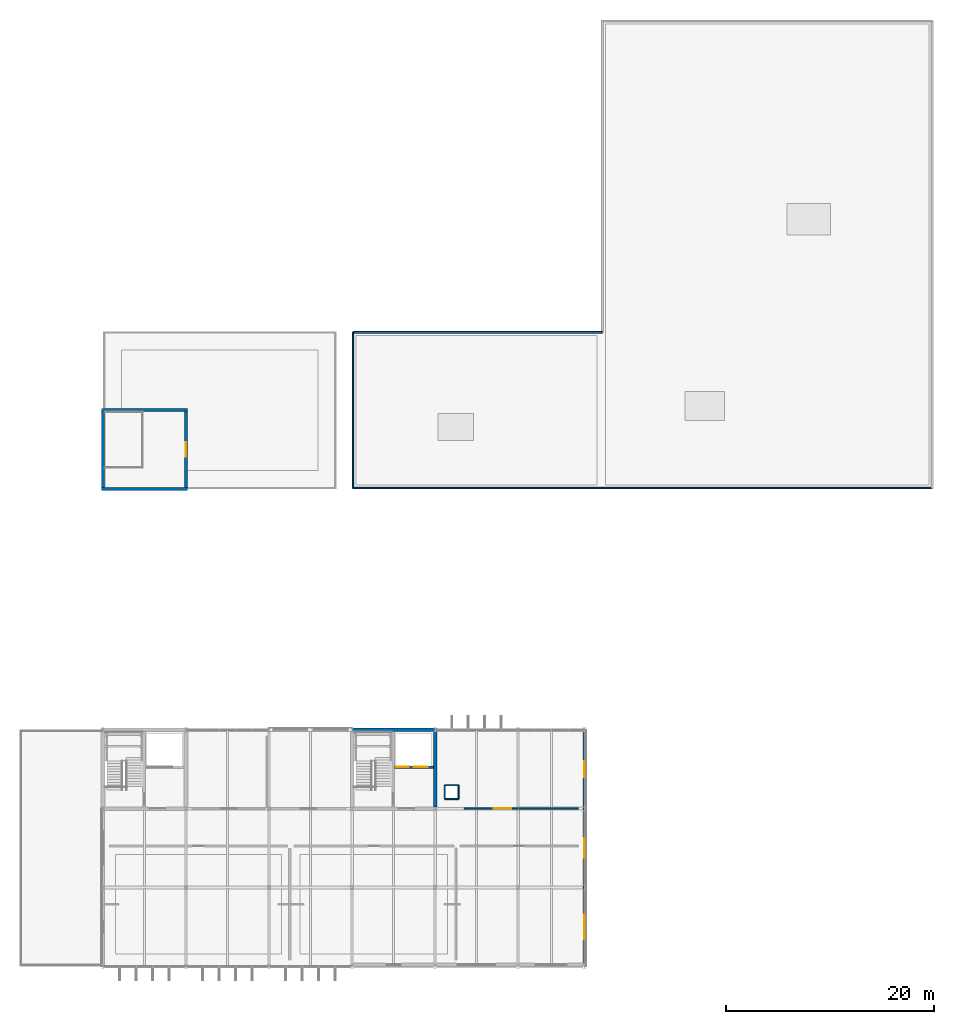
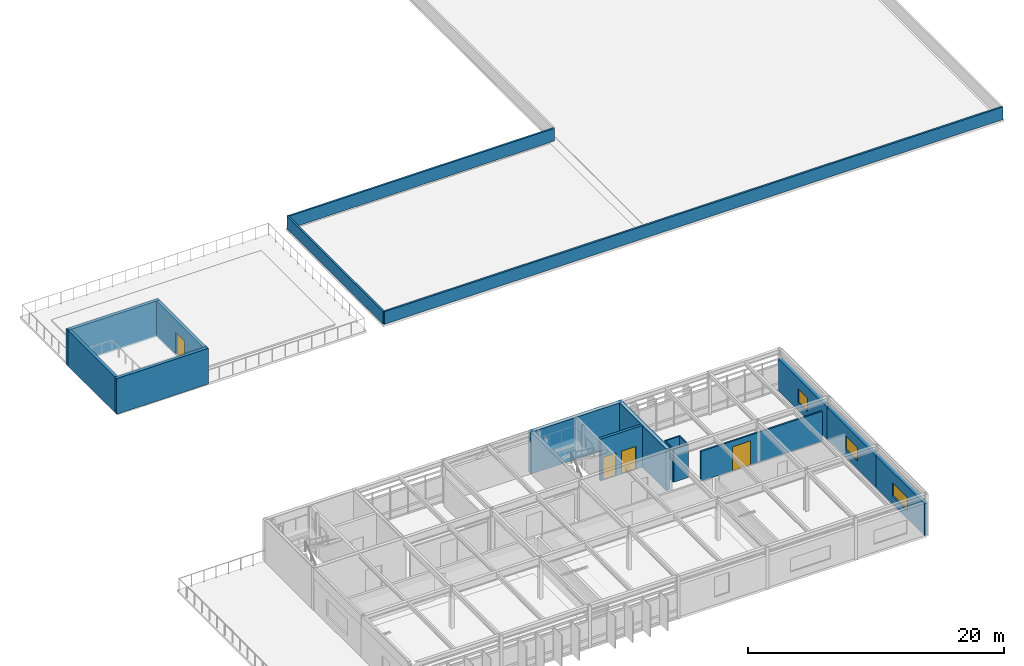
# One storey, part 16 of 21: 18 walls, 4 doors, 3 windows, 7 openings.
"""IFC4 building model written with IfcOpenShell, lengths in metres."""

from ifc_helpers import new_model, si_unit, direction, frame, frame_2d, origin, place, context, subcontext, project, spatial, rectangle, extrude, material, layer, layer_set, type_object, element, fill, save


model = new_model("IFC4")

# Units and contexts
model_context = context("Model", 3, precision=1e-05, world=origin(), true_north=direction((0.0, 1.0)))
body_context = subcontext(model_context, "Body", "Model", "MODEL_VIEW")
ifc_project = project(units=[si_unit("LENGTHUNIT", "METRE"), si_unit("AREAUNIT", "SQUARE_METRE"), si_unit("VOLUMEUNIT", "CUBIC_METRE"), si_unit("PLANEANGLEUNIT", "RADIAN"), si_unit("MASSUNIT", "GRAM", prefix="KILO")], contexts=[model_context])

# Site, building, storey
site_placement = place(None, origin())
site = spatial("IfcSite", under=ifc_project, at=site_placement, CompositionType="ELEMENT")
building_placement = place(site_placement, origin())
building = spatial("IfcBuilding", under=site, at=building_placement, Name="Zulena Civic Courthouse", CompositionType="ELEMENT")
storey_placement = place(building_placement, frame((0.0, 0.0, 37.800048828125)))
storey = spatial("IfcBuildingStorey", under=building, at=storey_placement, Name="L08", CompositionType="ELEMENT", Elevation=37.800048828125)

# Wall, openings, doors
ifc_material_1 = material(Name="Concrete C40/50", Category="concrete")
ifc_layer_1 = layer(ifc_material_1, 0.25)
ifc_layer_set_1 = layer_set([ifc_layer_1], Name="Concrete C40/50")
wall_type_1 = type_object("IfcWallType", Name="CoreShearWall_RC250", PredefinedType="SHEAR", material=ifc_layer_set_1)
wall_1_placement = place(storey_placement, frame((48.074951171875, 19.199951171875, 0.0), z_axis=(0.0, 0.0, 1.0), x_axis=(1.0, 0.0, 0.0)))
wall_1 = element("IfcWall", 1, at=wall_1_placement, inside=storey, type_object=wall_type_1, Name="cwall:K2B:L08:SHF", PredefinedType="SHEAR", context=body_context, shape_type="SweptSolid", body=[
    extrude(rectangle(XDim=3.75, YDim=0.25, at=frame_2d((1.875, 0.0))), origin(), (0.0, 0.0, 1.0), 3.989990234375),
])
opening_1_placement = place(wall_1_placement, frame((0.179931640625, 0.0, 0.0)))
opening_1 = element("IfcOpeningElement", 2, at=opening_1_placement, cuts=wall_1, Name="Opening LD01", PredefinedType="OPENING", context=body_context, shape_type="SweptSolid", body=[
    extrude(rectangle(XDim=1.199951171875, YDim=2.199951171875, at=frame_2d((0.60009765625, 1.10009765625))), frame((0.0, 0.135009765625, 0.0), z_axis=(0.0, -1.0, 0.0), x_axis=(1.0, 0.0, 0.0)), (0.0, 0.0, 1.0), 0.27001953125),
])
opening_2_placement = place(wall_1_placement, frame((1.85009765625, 0.0, 0.0)))
opening_2 = element("IfcOpeningElement", 3, at=opening_2_placement, cuts=wall_1, Name="Opening LD04", PredefinedType="OPENING", context=body_context, shape_type="SweptSolid", body=[
    extrude(rectangle(XDim=1.35009765625, YDim=2.199951171875, at=frame_2d((0.675048828125, 1.10009765625))), frame((0.0, 0.135009765625, 0.0), z_axis=(0.0, -1.0, 0.0), x_axis=(1.0, 0.0, 0.0)), (0.0, 0.0, 1.0), 0.27001953125),
])
ifc_material_2 = material(Name="Fire-rated galvanised steel ASTM A653 Grade 50", Category="steel")
door_type_1 = type_object("IfcDoorType", Name="LiftLandingDoor_FF_1200x2200", OperationType="SLIDING_TO_LEFT", PredefinedType="DOOR", material=ifc_material_2)
door_1_placement = place(opening_1_placement, origin())
door_1 = element("IfcDoor", 4, at=door_1_placement, inside=storey, type_object=door_type_1, Name="door:ld:FL-02:L08", OperationType="SLIDING_TO_LEFT", OverallHeight=2.199951171875, OverallWidth=1.199951171875, PredefinedType="DOOR", context=body_context, shape_type="SweptSolid", body=[
    extrude(rectangle(XDim=1.199951171875, YDim=2.199951171875, at=frame_2d((0.60009765625, 1.10009765625))), frame((0.0, 0.02490234375, 0.0), z_axis=(0.0, -1.0, 0.0), x_axis=(1.0, 0.0, 0.0)), (0.0, 0.0, 1.0), 0.050048828125),
])
fill(opening_1, door_1)
door_type_2 = type_object("IfcDoorType", Name="LiftLandingDoor_Goods_1350x2300", OperationType="DOUBLE_DOOR_SLIDING", PredefinedType="DOOR", material=ifc_material_2)
door_2_placement = place(opening_2_placement, origin())
door_2 = element("IfcDoor", 5, at=door_2_placement, inside=storey, type_object=door_type_2, Name="door:ld:CL-01:L08", OperationType="DOUBLE_DOOR_SLIDING", OverallHeight=2.199951171875, OverallWidth=1.35009765625, PredefinedType="DOOR", context=body_context, shape_type="SweptSolid", body=[
    extrude(rectangle(XDim=1.35009765625, YDim=2.199951171875, at=frame_2d((0.675048828125, 1.10009765625))), frame((0.0, 0.02490234375, 0.0), z_axis=(0.0, -1.0, 0.0), x_axis=(1.0, 0.0, 0.0)), (0.0, 0.0, 1.0), 0.050048828125),
])
fill(opening_2, door_2)

# Walls
ifc_layer_2 = layer(ifc_material_1, 0.35009765625)
ifc_layer_set_2 = layer_set([ifc_layer_2], Name="Concrete C40/50")
wall_type_2 = type_object("IfcWallType", Name="CoreShearWall_RC350", PredefinedType="SHEAR", material=ifc_layer_set_2)
wall_2_placement = place(storey_placement, frame((43.824951171875, 22.800048828125, 0.0), z_axis=(0.0, 0.0, 1.0), x_axis=(1.0, 0.0, 0.0)))
element("IfcWall", 6, at=wall_2_placement, inside=storey, type_object=wall_type_2, Name="cwall:K2B:L08:N", PredefinedType="SHEAR", context=body_context, shape_type="SweptSolid", body=[
    extrude(rectangle(XDim=8.35009765625, YDim=0.35009765625, at=frame_2d((4.175048828125, 0.0))), origin(), (0.0, 0.0, 1.0), 3.989990234375),
])
wall_3_placement = place(storey_placement, frame((52.0, 15.375, 0.0), z_axis=(0.0, 0.0, 1.0), x_axis=(0.0, 1.0, 0.0)))
element("IfcWall", 7, at=wall_3_placement, inside=storey, type_object=wall_type_2, Name="cwall:K2B:L08:E", PredefinedType="SHEAR", context=body_context, shape_type="SweptSolid", body=[
    extrude(rectangle(XDim=7.25, YDim=0.35009765625, at=frame_2d((3.625, 0.0))), origin(), (0.0, 0.0, 1.0), 3.989990234375),
])
ifc_material_3 = material(Name="Travertine-cream architectural precast concrete C40/50", Category="masonry")
ifc_layer_3 = layer(ifc_material_3, 0.280029296875)
ifc_layer_set_3 = layer_set([ifc_layer_3], Name="Travertine-cream architectural precast concrete C40/50")
wall_type_3 = type_object("IfcWallType", Name="ExtWall_TravPrecast_280", PredefinedType="STANDARD", material=ifc_layer_set_3)
wall_4_placement = place(storey_placement, frame((19.860107421875, 53.60009765625, 0.0), z_axis=(0.0, 0.0, 1.0), x_axis=(1.0, 0.0, 0.0)))
element("IfcWall", 8, at=wall_4_placement, inside=storey, type_object=wall_type_3, Name="ewall:hh:TR-V5-L08:N", PredefinedType="STANDARD", context=body_context, shape_type="SweptSolid", body=[
    extrude(rectangle(XDim=8.27978515625, YDim=0.280029296875, at=frame_2d((4.139892578125, 0.0))), origin(), (0.0, 0.0, 1.0), 3.39990234375),
])

# Wall, opening, door
wall_5_placement = place(storey_placement, frame((28.0, 53.4599609375, 0.0), z_axis=(0.0, 0.0, 1.0), x_axis=(0.0, -1.0, 0.0)))
wall_5 = element("IfcWall", 9, at=wall_5_placement, inside=storey, type_object=wall_type_3, Name="ewall:hh:TR-V5-L08:E", PredefinedType="STANDARD", context=body_context, shape_type="SweptSolid", body=[
    extrude(rectangle(XDim=7.320068359375, YDim=0.280029296875, at=frame_2d((3.66015625, 0.0))), origin(), (0.0, 0.0, 1.0), 3.39990234375),
])
opening_3_placement = place(wall_5_placement, frame((2.9599609375, 0.0, 0.0)))
opening_3 = element("IfcOpeningElement", 10, at=opening_3_placement, cuts=wall_5, Name="Opening TD03", PredefinedType="OPENING", context=body_context, shape_type="SweptSolid", body=[
    extrude(rectangle(XDim=1.39990234375, YDim=2.199951171875, at=frame_2d((0.699951171875, 1.10009765625))), frame((0.0, 0.14990234375, 0.0), z_axis=(0.0, -1.0, 0.0), x_axis=(1.0, 0.0, 0.0)), (0.0, 0.0, 1.0), 0.300048828125),
])
ifc_material_4 = material(Name="Galvanised architectural steel ASTM A653 Grade 50", Category="steel")
door_type_3 = type_object("IfcDoorType", Name="ExtDoor_Terrace_1400x2200", OperationType="DOUBLE_DOOR_SINGLE_SWING", PredefinedType="DOOR", material=ifc_material_4)
door_3_placement = place(opening_3_placement, origin())
door_3 = element("IfcDoor", 11, at=door_3_placement, inside=storey, type_object=door_type_3, Name="door:terrace:TR-V5-L08", OperationType="DOUBLE_DOOR_SINGLE_SWING", OverallHeight=2.199951171875, OverallWidth=1.39990234375, PredefinedType="DOOR", context=body_context, shape_type="SweptSolid", body=[
    extrude(rectangle(XDim=1.39990234375, YDim=2.199951171875, at=frame_2d((0.699951171875, 1.10009765625))), frame((0.0, 0.02490234375, 0.0), z_axis=(0.0, -1.0, 0.0), x_axis=(1.0, 0.0, 0.0)), (0.0, 0.0, 1.0), 0.050048828125),
])
fill(opening_3, door_3)

# Walls
wall_6_placement = place(storey_placement, frame((28.139892578125, 46.0, 0.0), z_axis=(0.0, 0.0, 1.0), x_axis=(-1.0, 0.0, 0.0)))
element("IfcWall", 12, at=wall_6_placement, inside=storey, type_object=wall_type_3, Name="ewall:hh:TR-V5-L08:S", PredefinedType="STANDARD", context=body_context, shape_type="SweptSolid", body=[
    extrude(rectangle(XDim=8.27978515625, YDim=0.280029296875, at=frame_2d((4.139892578125, 0.0))), origin(), (0.0, 0.0, 1.0), 3.39990234375),
])
wall_7_placement = place(storey_placement, frame((20.0, 46.139892578125, 0.0), z_axis=(0.0, 0.0, 1.0), x_axis=(0.0, 1.0, 0.0)))
element("IfcWall", 13, at=wall_7_placement, inside=storey, type_object=wall_type_3, Name="ewall:hh:TR-V5-L08:W", PredefinedType="STANDARD", context=body_context, shape_type="SweptSolid", body=[
    extrude(rectangle(XDim=7.320068359375, YDim=0.280029296875, at=frame_2d((3.66015625, 0.0))), origin(), (0.0, 0.0, 1.0), 3.39990234375),
])

# Wall, opening, window
ifc_material_5 = material(Name="White architectural precast concrete C40/50", Category="concrete")
ifc_layer_4 = layer(ifc_material_5, 0.300048828125)
ifc_layer_set_4 = layer_set([ifc_layer_4], Name="White architectural precast concrete C40/50")
wall_type_4 = type_object("IfcWallType", Name="ExtWall_WhitePrecast_300", PredefinedType="STANDARD", material=ifc_layer_set_4)
wall_8_placement = place(storey_placement, frame((66.39990234375, 22.820068359375, 0.0), z_axis=(0.0, 0.0, 1.0), x_axis=(0.0, -1.0, 0.0)))
wall_8 = element("IfcWall", 14, at=wall_8_placement, inside=storey, type_object=wall_type_4, Name="ewall:V2:L08:2:0", PredefinedType="STANDARD", context=body_context, shape_type="SweptSolid", body=[
    extrude(rectangle(XDim=7.64013671875, YDim=0.300048828125, at=frame_2d((3.820068359375, 0.0))), origin(), (0.0, 0.0, 1.0), 3.06005859375),
])
opening_4_placement = place(wall_8_placement, frame((3.070068359375, 0.0, 0.75)))
opening_4 = element("IfcOpeningElement", 15, at=opening_4_placement, cuts=wall_8, Name="Opening WN30", PredefinedType="OPENING", context=body_context, shape_type="SweptSolid", body=[
    extrude(rectangle(XDim=1.5, YDim=1.300048828125, at=frame_2d((0.75, 0.64990234375))), frame((0.0, 0.159912109375, 0.0), z_axis=(0.0, -1.0, 0.0), x_axis=(1.0, 0.0, 0.0)), (0.0, 0.0, 1.0), 0.320068359375),
])
ifc_material_6 = material(Name="Double-silver low-E laminated solar-control glass", Category="glass")
window_type_1 = type_object("IfcWindowType", Name="Win_1500x1300", PartitioningType="SINGLE_PANEL", PredefinedType="WINDOW", material=ifc_material_6)
window_1_placement = place(opening_4_placement, origin())
window_1 = element("IfcWindow", 16, at=window_1_placement, inside=storey, type_object=window_type_1, Name="win:V2:L08:2:0", OverallHeight=1.300048828125, OverallWidth=1.5, PartitioningType="SINGLE_PANEL", PredefinedType="WINDOW", context=body_context, shape_type="SweptSolid", body=[
    extrude(rectangle(XDim=1.5, YDim=1.300048828125, at=frame_2d((0.75, 0.64990234375))), frame((0.0, 0.030029296875, 0.0), z_axis=(0.0, -1.0, 0.0), x_axis=(1.0, 0.0, 0.0)), (0.0, 0.0, 1.0), 0.06005859375),
])
fill(opening_4, window_1)

wall_9_placement = place(storey_placement, frame((66.39990234375, 15.219970703125, 0.0), z_axis=(0.0, 0.0, 1.0), x_axis=(0.0, -1.0, 0.0)))
wall_9 = element("IfcWall", 17, at=wall_9_placement, inside=storey, type_object=wall_type_4, Name="ewall:V2:L08:2:1", PredefinedType="STANDARD", context=body_context, shape_type="SweptSolid", body=[
    extrude(rectangle(XDim=7.639892578125, YDim=0.300048828125, at=frame_2d((3.81982421875, 0.0))), origin(), (0.0, 0.0, 1.0), 3.06005859375),
])
opening_5_placement = place(wall_9_placement, frame((2.8701171875, 0.0, 0.75)))
opening_5 = element("IfcOpeningElement", 18, at=opening_5_placement, cuts=wall_9, Name="Opening WN31", PredefinedType="OPENING", context=body_context, shape_type="SweptSolid", body=[
    extrude(rectangle(XDim=1.89990234375, YDim=1.300048828125, at=frame_2d((0.949951171875, 0.64990234375))), frame((0.0, 0.159912109375, 0.0), z_axis=(0.0, -1.0, 0.0), x_axis=(1.0, 0.0, 0.0)), (0.0, 0.0, 1.0), 0.320068359375),
])
window_type_2 = type_object("IfcWindowType", Name="Win_1900x1300", PartitioningType="DOUBLE_PANEL_VERTICAL", PredefinedType="WINDOW", material=ifc_material_6)
window_2_placement = place(opening_5_placement, origin())
window_2 = element("IfcWindow", 19, at=window_2_placement, inside=storey, type_object=window_type_2, Name="win:V2:L08:2:1", OverallHeight=1.300048828125, OverallWidth=1.89990234375, PartitioningType="SINGLE_PANEL", PredefinedType="WINDOW", context=body_context, shape_type="SweptSolid", body=[
    extrude(rectangle(XDim=1.89990234375, YDim=1.300048828125, at=frame_2d((0.949951171875, 0.64990234375))), frame((0.0, 0.030029296875, 0.0), z_axis=(0.0, -1.0, 0.0), x_axis=(1.0, 0.0, 0.0)), (0.0, 0.0, 1.0), 0.06005859375),
])
fill(opening_5, window_2)

wall_10_placement = place(storey_placement, frame((66.39990234375, 7.6201171875, 0.0), z_axis=(0.0, 0.0, 1.0), x_axis=(0.0, -1.0, 0.0)))
wall_10 = element("IfcWall", 20, at=wall_10_placement, inside=storey, type_object=wall_type_4, Name="ewall:V2:L08:2:2", PredefinedType="STANDARD", context=body_context, shape_type="SweptSolid", body=[
    extrude(rectangle(XDim=7.64013671875, YDim=0.300048828125, at=frame_2d((3.820068359375, 0.0))), origin(), (0.0, 0.0, 1.0), 3.06005859375),
])
opening_6_placement = place(wall_10_placement, frame((2.6201171875, 0.0, 0.75)))
opening_6 = element("IfcOpeningElement", 21, at=opening_6_placement, cuts=wall_10, Name="Opening WN32", PredefinedType="OPENING", context=body_context, shape_type="SweptSolid", body=[
    extrude(rectangle(XDim=2.39990234375, YDim=1.300048828125, at=frame_2d((1.199951171875, 0.64990234375))), frame((0.0, 0.159912109375, 0.0), z_axis=(0.0, -1.0, 0.0), x_axis=(1.0, 0.0, 0.0)), (0.0, 0.0, 1.0), 0.320068359375),
])
window_type_3 = type_object("IfcWindowType", Name="Win_2400x1300", PartitioningType="DOUBLE_PANEL_VERTICAL", PredefinedType="WINDOW", material=ifc_material_6)
window_3_placement = place(opening_6_placement, origin())
window_3 = element("IfcWindow", 22, at=window_3_placement, inside=storey, type_object=window_type_3, Name="win:V2:L08:2:2", OverallHeight=1.300048828125, OverallWidth=2.39990234375, PartitioningType="SINGLE_PANEL", PredefinedType="WINDOW", context=body_context, shape_type="SweptSolid", body=[
    extrude(rectangle(XDim=2.39990234375, YDim=1.300048828125, at=frame_2d((1.199951171875, 0.64990234375))), frame((0.0, 0.030029296875, 0.0), z_axis=(0.0, -1.0, 0.0), x_axis=(1.0, 0.0, 0.0)), (0.0, 0.0, 1.0), 0.06005859375),
])
fill(opening_6, window_3)

# Walls
ifc_material_7 = material(Name="Buff architectural precast concrete C40/50", Category="concrete")
ifc_layer_5 = layer(ifc_material_7, 0.169921875)
ifc_layer_set_5 = layer_set([ifc_layer_5], Name="Buff architectural precast concrete C40/50")
wall_type_5 = type_object("IfcWallType", Name="Parapet_Buff_170", PredefinedType="PARAPET", material=ifc_layer_set_5)
wall_11_placement = place(storey_placement, frame((44.10009765625, 46.10009765625, 0.0), z_axis=(0.0, 0.0, 1.0), x_axis=(1.0, 0.0, 0.0)))
element("IfcWall", 23, at=wall_11_placement, inside=storey, type_object=wall_type_5, Name="parapet:V5:0", PredefinedType="PARAPET", context=body_context, shape_type="SweptSolid", body=[
    extrude(rectangle(XDim=55.7998046875, YDim=0.169921875, at=frame_2d((27.89990234375, 0.0))), origin(), (0.0, 0.0, 1.0), 1.199951171875),
])
wall_12_placement = place(storey_placement, frame((68.10009765625, 61.10009765625, 0.0), z_axis=(0.0, 0.0, 1.0), x_axis=(-1.0, 0.0, 0.0)))
element("IfcWall", 24, at=wall_12_placement, inside=storey, type_object=wall_type_5, Name="parapet:V5:4", PredefinedType="PARAPET", context=body_context, shape_type="SweptSolid", body=[
    extrude(rectangle(XDim=24.0, YDim=0.169921875, at=frame_2d((12.0, 0.0))), origin(), (0.0, 0.0, 1.0), 1.199951171875),
])
wall_13_placement = place(storey_placement, frame((44.10009765625, 61.10009765625, 0.0), z_axis=(0.0, 0.0, 1.0), x_axis=(0.0, -1.0, 0.0)))
element("IfcWall", 25, at=wall_13_placement, inside=storey, type_object=wall_type_5, Name="parapet:V5:5", PredefinedType="PARAPET", context=body_context, shape_type="SweptSolid", body=[
    extrude(rectangle(XDim=15.0, YDim=0.169921875, at=frame_2d((7.5, 0.0))), origin(), (0.0, 0.0, 1.0), 1.199951171875),
])

# Wall, opening, door
ifc_material_8 = material(Name="Acoustic fire-rated gypsum board assembly", Category="masonry")
ifc_layer_6 = layer(ifc_material_8, 0.14599609375)
ifc_layer_set_6 = layer_set([ifc_layer_6], Name="Acoustic fire-rated gypsum board assembly")
wall_type_6 = type_object("IfcWallType", Name="PartWall_Chambers_146", PredefinedType="PARTITIONING", material=ifc_layer_set_6)
wall_14_placement = place(storey_placement, frame((54.820068359375, 15.199951171875, 0.0), z_axis=(0.0, 0.0, 1.0), x_axis=(1.0, 0.0, 0.0)))
wall_14 = element("IfcWall", 26, at=wall_14_placement, inside=storey, type_object=wall_type_6, Name="pwall:L08:363:0", PredefinedType="PARTITIONING", context=body_context, shape_type="SweptSolid", body=[
    extrude(rectangle(XDim=10.9599609375, YDim=0.14599609375, at=frame_2d((5.47998046875, 0.0))), origin(), (0.0, 0.0, 1.0), 2.849853515625),
])
opening_7_placement = place(wall_14_placement, frame((2.85498046875, 0.0, 0.0)))
opening_7 = element("IfcOpeningElement", 27, at=opening_7_placement, cuts=wall_14, Name="Opening ID18", PredefinedType="OPENING", context=body_context, shape_type="SweptSolid", body=[
    extrude(rectangle(XDim=1.64990234375, YDim=2.300048828125, at=frame_2d((0.824951171875, 1.14990234375))), frame((0.0, 0.0830078125, 0.0), z_axis=(0.0, -1.0, 0.0), x_axis=(1.0, 0.0, 0.0)), (0.0, 0.0, 1.0), 0.166015625),
])
ifc_material_9 = material(Name="Solid-core acoustic hardwood timber", Category="wood")
door_type_4 = type_object("IfcDoorType", Name="IntDoor_Library_1650x2300", OperationType="DOUBLE_DOOR_SINGLE_SWING", PredefinedType="DOOR", material=ifc_material_9)
door_4_placement = place(opening_7_placement, origin())
door_4 = element("IfcDoor", 28, at=door_4_placement, inside=storey, type_object=door_type_4, Name="door:rm:L08:363", OperationType="DOUBLE_DOOR_SINGLE_SWING", OverallHeight=2.300048828125, OverallWidth=1.64990234375, PredefinedType="DOOR", context=body_context, shape_type="SweptSolid", body=[
    extrude(rectangle(XDim=1.64990234375, YDim=2.300048828125, at=frame_2d((0.824951171875, 1.14990234375))), frame((0.0, 0.02490234375, 0.0), z_axis=(0.0, -1.0, 0.0), x_axis=(1.0, 0.0, 0.0)), (0.0, 0.0, 1.0), 0.050048828125),
])
fill(opening_7, door_4)

# Walls
ifc_material_10 = material(Name="Insulated blockwork masonry ASTM C90", Category="masonry")
ifc_layer_7 = layer(ifc_material_10, 0.114990234375)
ifc_layer_set_7 = layer_set([ifc_layer_7], Name="Insulated blockwork masonry ASTM C90")
wall_type_7 = type_object("IfcWallType", Name="PartWall_Riser_115", PredefinedType="PARTITIONING", material=ifc_layer_set_7)
for number, where, z_axis, x_axis, name in (
    (29, (52.93994140625, 16.139892578125, 0.0), (0.0, 0.0, 1.0), (1.0, 0.0, 0.0), "riser:RS-V2E:L08:0"),
    (30, (54.260009765625, 16.139892578125, 0.0), (0.0, 0.0, 1.0), (0.0, 1.0, 0.0), "riser:RS-V2E:L08:1"),
    (31, (54.260009765625, 17.4599609375, 0.0), (0.0, 0.0, 1.0), (-1.0, 0.0, 0.0), "riser:RS-V2E:L08:2"),
    (32, (52.93994140625, 17.4599609375, 0.0), (0.0, 0.0, 1.0), (0.0, -1.0, 0.0), "riser:RS-V2E:L08:3"),
):
    element("IfcWall", number, at=place(storey_placement, frame(where, z_axis=z_axis, x_axis=x_axis)), inside=storey, type_object=wall_type_7, Name=name, PredefinedType="PARTITIONING", context=body_context, shape_type="SweptSolid", body=[
        extrude(rectangle(XDim=1.320068359375, YDim=0.114990234375, at=frame_2d((0.66015625, 0.0))), origin(), (0.0, 0.0, 1.0), 3.14990234375),
    ])

save(model, "model.ifc")
